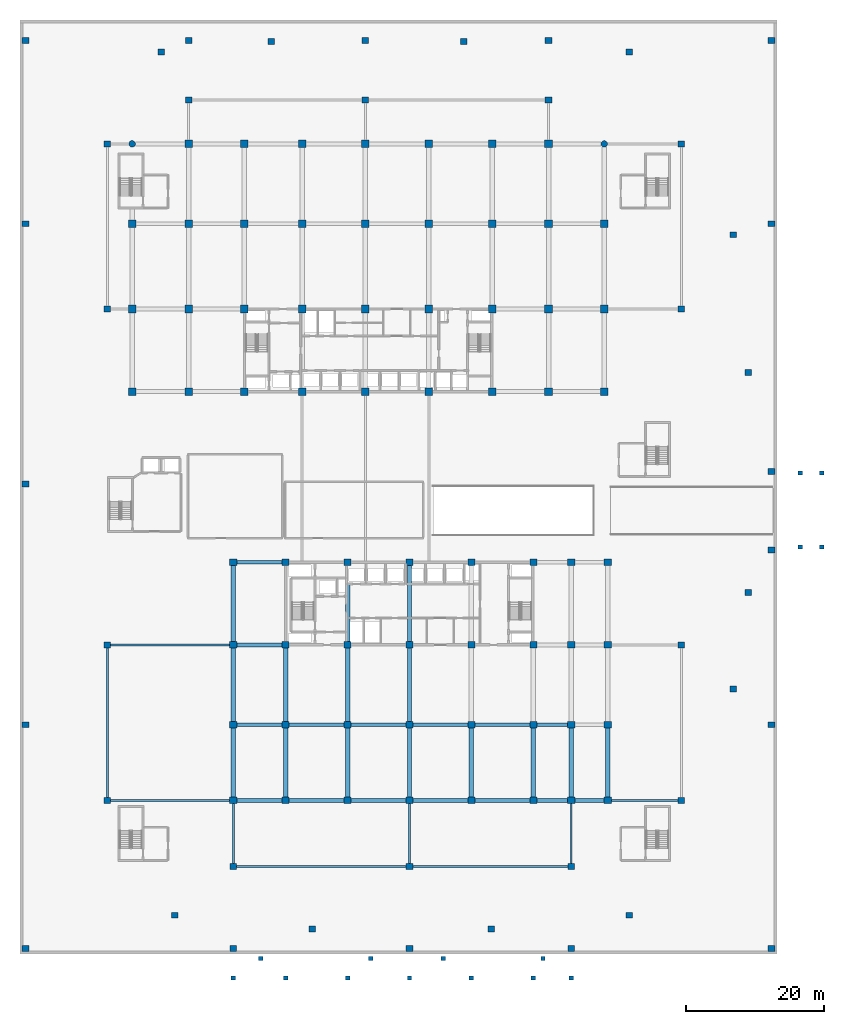
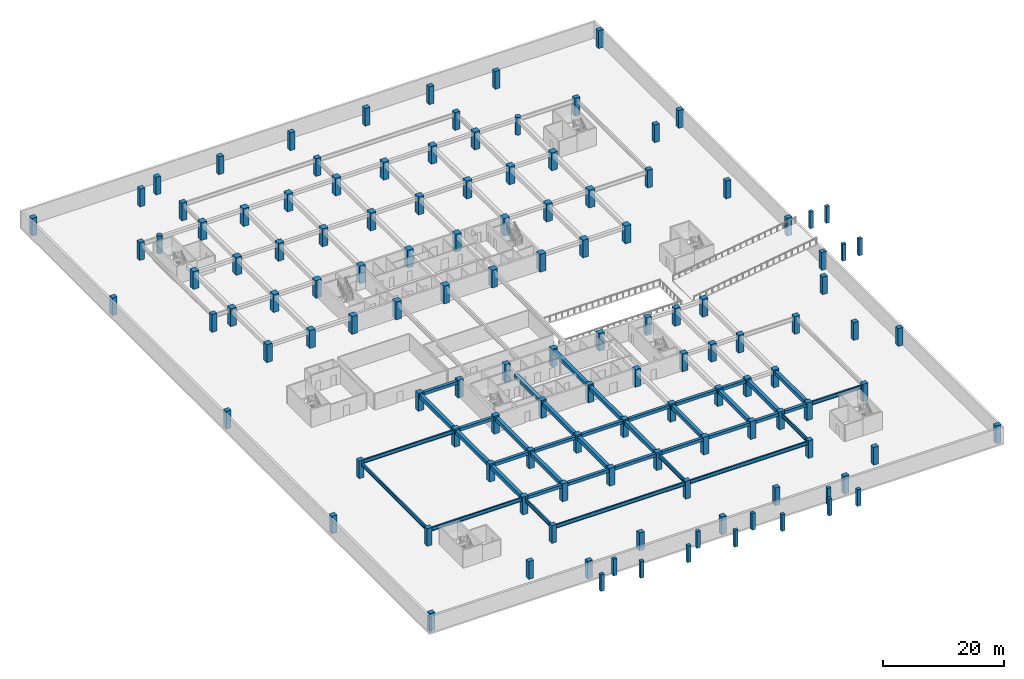
# One storey, part 1 of 23: 126 columns, 39 beams.
"""IFC4 building model written with IfcOpenShell, lengths in metres."""

from ifc_helpers import new_model, si_unit, direction, frame, origin, origin_2d, place, context, subcontext, project, spatial, rectangle, circle, i_section, extrude, material, material_profile, profile_set, type_object, element, save


model = new_model("IFC4")

# Units and contexts
model_context = context("Model", 3, precision=1e-05, world=origin(), true_north=direction((0.0, 1.0)))
body_context = subcontext(model_context, "Body", "Model", "MODEL_VIEW")
ifc_project = project(units=[si_unit("LENGTHUNIT", "METRE"), si_unit("AREAUNIT", "SQUARE_METRE"), si_unit("VOLUMEUNIT", "CUBIC_METRE"), si_unit("PLANEANGLEUNIT", "RADIAN"), si_unit("MASSUNIT", "GRAM", prefix="KILO")], contexts=[model_context])

# Site, building, storey
site_placement = place(None, origin())
site = spatial("IfcSite", under=ifc_project, at=site_placement, CompositionType="ELEMENT")
building_placement = place(site_placement, origin())
building = spatial("IfcBuilding", under=site, at=building_placement, Name="Korimba Cascade Residences", CompositionType="ELEMENT")
storey_placement = place(building_placement, frame((0.0, 0.0, -3.60009765625)))
storey = spatial("IfcBuildingStorey", under=building, at=storey_placement, Name="B01", CompositionType="ELEMENT", Elevation=-3.60009765625)

# Columns
ifc_material_1 = material(Name="Concrete C80/95", Category="concrete")
ifc_material_profile_1 = material_profile(ifc_material_1, rectangle(XDim=1.050048828125, YDim=0.949951171875, at=origin_2d()), Name="Concrete C80/95")
ifc_profile_set_1 = profile_set([ifc_material_profile_1], Name="Concrete C80/95")
column_type_1 = type_object("IfcColumnType", Name="COL-RC-1050", PredefinedType="COLUMN", material=ifc_profile_set_1)
for number, where, z_axis, x_axis, name in (
    (1, (74.5, -4.199951171875, 0.0), (0.0, 0.0, 1.0), (1.0, 0.0, 0.0), "B01 Tower 2 Column 1.1"),
    (2, (74.5, 6.800048828125, 0.0), (0.0, 0.0, 1.0), (1.0, 0.0, 0.0), "B01 Tower 2 Column 1.2"),
    (3, (74.5, 18.39990234375, 0.0), (0.0, 0.0, 1.0), (1.0, 0.0, 0.0), "B01 Tower 2 Column 1.3"),
    (4, (74.5, 30.39990234375, 0.0), (0.0, 0.0, 1.0), (1.0, 0.0, 0.0), "B01 Tower 2 Column 1.4"),
    (5, (82.10009765625, -4.199951171875, 0.0), (0.0, 0.0, 1.0), (1.0, 0.0, 0.0), "B01 Tower 2 Column 2.1"),
    (6, (82.10009765625, 6.800048828125, 0.0), (0.0, 0.0, 1.0), (1.0, 0.0, 0.0), "B01 Tower 2 Column 2.2"),
    (7, (82.10009765625, 18.39990234375, 0.0), (0.0, 0.0, 1.0), (1.0, 0.0, 0.0), "B01 Tower 2 Column 2.3"),
    (8, (82.10009765625, 30.39990234375, 0.0), (0.0, 0.0, 1.0), (1.0, 0.0, 0.0), "B01 Tower 2 Column 2.4"),
    (9, (91.10009765625, -4.199951171875, 0.0), (0.0, 0.0, 1.0), (1.0, 0.0, 0.0), "B01 Tower 2 Column 3.1"),
    (10, (91.10009765625, 6.800048828125, 0.0), (0.0, 0.0, 1.0), (1.0, 0.0, 0.0), "B01 Tower 2 Column 3.2"),
    (11, (91.10009765625, 18.39990234375, 0.0), (0.0, 0.0, 1.0), (1.0, 0.0, 0.0), "B01 Tower 2 Column 3.3"),
    (12, (91.10009765625, 30.39990234375, 0.0), (0.0, 0.0, 1.0), (1.0, 0.0, 0.0), "B01 Tower 2 Column 3.4"),
    (13, (100.10009765625, -4.199951171875, 0.0), (0.0, 0.0, 1.0), (1.0, 0.0, 0.0), "B01 Tower 2 Column 4.1"),
    (14, (100.10009765625, 6.800048828125, 0.0), (0.0, 0.0, 1.0), (1.0, 0.0, 0.0), "B01 Tower 2 Column 4.2"),
    (15, (100.10009765625, 18.39990234375, 0.0), (0.0, 0.0, 1.0), (1.0, 0.0, 0.0), "B01 Tower 2 Column 4.3"),
    (16, (100.10009765625, 30.39990234375, 0.0), (0.0, 0.0, 1.0), (1.0, 0.0, 0.0), "B01 Tower 2 Column 4.4"),
    (17, (109.10009765625, -4.199951171875, 0.0), (0.0, 0.0, 1.0), (1.0, 0.0, 0.0), "B01 Tower 2 Column 5.1"),
    (18, (109.10009765625, 6.800048828125, 0.0), (0.0, 0.0, 1.0), (1.0, 0.0, 0.0), "B01 Tower 2 Column 5.2"),
    (19, (109.10009765625, 18.39990234375, 0.0), (0.0, 0.0, 1.0), (1.0, 0.0, 0.0), "B01 Tower 2 Column 5.3"),
    (20, (109.10009765625, 30.39990234375, 0.0), (0.0, 0.0, 1.0), (1.0, 0.0, 0.0), "B01 Tower 2 Column 5.4"),
    (21, (118.10009765625, -4.199951171875, 0.0), (0.0, 0.0, 1.0), (1.0, 0.0, 0.0), "B01 Tower 2 Column 6.1"),
    (22, (118.10009765625, 6.800048828125, 0.0), (0.0, 0.0, 1.0), (1.0, 0.0, 0.0), "B01 Tower 2 Column 6.2"),
    (23, (118.10009765625, 18.39990234375, 0.0), (0.0, 0.0, 1.0), (1.0, 0.0, 0.0), "B01 Tower 2 Column 6.3"),
    (24, (118.10009765625, 30.39990234375, 0.0), (0.0, 0.0, 1.0), (1.0, 0.0, 0.0), "B01 Tower 2 Column 6.4"),
    (25, (123.60009765625, -4.199951171875, 0.0), (0.0, 0.0, 1.0), (1.0, 0.0, 0.0), "B01 Tower 2 Column 7.1"),
    (26, (123.60009765625, 6.800048828125, 0.0), (0.0, 0.0, 1.0), (1.0, 0.0, 0.0), "B01 Tower 2 Column 7.2"),
    (27, (123.60009765625, 18.39990234375, 0.0), (0.0, 0.0, 1.0), (1.0, 0.0, 0.0), "B01 Tower 2 Column 7.3"),
    (28, (123.60009765625, 30.39990234375, 0.0), (0.0, 0.0, 1.0), (1.0, 0.0, 0.0), "B01 Tower 2 Column 7.4"),
    (29, (128.89990234375, -4.199951171875, 0.0), (0.0, 0.0, 1.0), (1.0, 0.0, 0.0), "B01 Tower 2 Column 8.1"),
    (30, (128.89990234375, 6.800048828125, 0.0), (0.0, 0.0, 1.0), (1.0, 0.0, 0.0), "B01 Tower 2 Column 8.2"),
    (31, (128.89990234375, 18.39990234375, 0.0), (0.0, 0.0, 1.0), (1.0, 0.0, 0.0), "B01 Tower 2 Column 8.3"),
    (32, (128.89990234375, 30.39990234375, 0.0), (0.0, 0.0, 1.0), (1.0, 0.0, 0.0), "B01 Tower 2 Column 8.4"),
):
    element("IfcColumn", number, at=place(storey_placement, frame(where, z_axis=z_axis, x_axis=x_axis)), inside=storey, type_object=column_type_1, Name=name, PredefinedType="COLUMN", context=body_context, shape_type="SweptSolid", body=[
        extrude(rectangle(XDim=1.050048828125, YDim=0.949951171875, at=origin_2d()), origin(), (0.0, 0.0, 1.0), 3.60009765625),
    ])
ifc_material_profile_2 = material_profile(ifc_material_1, rectangle(XDim=1.10009765625, YDim=1.10009765625, at=origin_2d()), Name="Concrete C80/95")
ifc_profile_set_2 = profile_set([ifc_material_profile_2], Name="Concrete C80/95")
column_type_2 = type_object("IfcColumnType", Name="COL-RC-1100", PredefinedType="COLUMN", material=ifc_profile_set_2)
for number, where, z_axis, x_axis, name in (
    (33, (59.800048828125, 55.199951171875, 0.0), (0.0, 0.0, 1.0), (1.0, 0.0, 0.0), "B01 Tower 1 Column 1.1"),
    (34, (59.800048828125, 67.199951171875, 0.0), (0.0, 0.0, 1.0), (1.0, 0.0, 0.0), "B01 Tower 1 Column 1.2"),
    (35, (59.800048828125, 79.60009765625, 0.0), (0.0, 0.0, 1.0), (1.0, 0.0, 0.0), "B01 Tower 1 Column 1.3"),
    (36, (68.0, 55.199951171875, 0.0), (0.0, 0.0, 1.0), (1.0, 0.0, 0.0), "B01 Tower 1 Column 2.1"),
    (37, (68.0, 67.199951171875, 0.0), (0.0, 0.0, 1.0), (1.0, 0.0, 0.0), "B01 Tower 1 Column 2.2"),
    (38, (68.0, 79.60009765625, 0.0), (0.0, 0.0, 1.0), (1.0, 0.0, 0.0), "B01 Tower 1 Column 2.3"),
    (39, (68.0, 91.199951171875, 0.0), (0.0, 0.0, 1.0), (1.0, 0.0, 0.0), "B01 Tower 1 Column 2.4"),
    (40, (76.10009765625, 55.199951171875, 0.0), (0.0, 0.0, 1.0), (1.0, 0.0, 0.0), "B01 Tower 1 Column 3.1"),
    (41, (76.10009765625, 67.199951171875, 0.0), (0.0, 0.0, 1.0), (1.0, 0.0, 0.0), "B01 Tower 1 Column 3.2"),
    (42, (76.10009765625, 79.60009765625, 0.0), (0.0, 0.0, 1.0), (1.0, 0.0, 0.0), "B01 Tower 1 Column 3.3"),
    (43, (76.10009765625, 91.199951171875, 0.0), (0.0, 0.0, 1.0), (1.0, 0.0, 0.0), "B01 Tower 1 Column 3.4"),
    (44, (84.5, 55.199951171875, 0.0), (0.0, 0.0, 1.0), (1.0, 0.0, 0.0), "B01 Tower 1 Column 4.1"),
    (45, (84.5, 67.199951171875, 0.0), (0.0, 0.0, 1.0), (1.0, 0.0, 0.0), "B01 Tower 1 Column 4.2"),
    (46, (84.5, 79.60009765625, 0.0), (0.0, 0.0, 1.0), (1.0, 0.0, 0.0), "B01 Tower 1 Column 4.3"),
    (47, (84.5, 91.199951171875, 0.0), (0.0, 0.0, 1.0), (1.0, 0.0, 0.0), "B01 Tower 1 Column 4.4"),
    (48, (93.699951171875, 55.199951171875, 0.0), (0.0, 0.0, 1.0), (1.0, 0.0, 0.0), "B01 Tower 1 Column 5.1"),
    (49, (93.699951171875, 67.199951171875, 0.0), (0.0, 0.0, 1.0), (1.0, 0.0, 0.0), "B01 Tower 1 Column 5.2"),
    (50, (93.699951171875, 79.60009765625, 0.0), (0.0, 0.0, 1.0), (1.0, 0.0, 0.0), "B01 Tower 1 Column 5.3"),
    (51, (93.699951171875, 91.199951171875, 0.0), (0.0, 0.0, 1.0), (1.0, 0.0, 0.0), "B01 Tower 1 Column 5.4"),
    (52, (102.89990234375, 55.199951171875, 0.0), (0.0, 0.0, 1.0), (1.0, 0.0, 0.0), "B01 Tower 1 Column 6.1"),
    (53, (102.89990234375, 67.199951171875, 0.0), (0.0, 0.0, 1.0), (1.0, 0.0, 0.0), "B01 Tower 1 Column 6.2"),
    (54, (102.89990234375, 79.60009765625, 0.0), (0.0, 0.0, 1.0), (1.0, 0.0, 0.0), "B01 Tower 1 Column 6.3"),
    (55, (102.89990234375, 91.199951171875, 0.0), (0.0, 0.0, 1.0), (1.0, 0.0, 0.0), "B01 Tower 1 Column 6.4"),
    (56, (112.10009765625, 55.199951171875, 0.0), (0.0, 0.0, 1.0), (1.0, 0.0, 0.0), "B01 Tower 1 Column 7.1"),
    (57, (112.10009765625, 67.199951171875, 0.0), (0.0, 0.0, 1.0), (1.0, 0.0, 0.0), "B01 Tower 1 Column 7.2"),
    (58, (112.10009765625, 79.60009765625, 0.0), (0.0, 0.0, 1.0), (1.0, 0.0, 0.0), "B01 Tower 1 Column 7.3"),
    (59, (112.10009765625, 91.199951171875, 0.0), (0.0, 0.0, 1.0), (1.0, 0.0, 0.0), "B01 Tower 1 Column 7.4"),
    (60, (120.300048828125, 55.199951171875, 0.0), (0.0, 0.0, 1.0), (1.0, 0.0, 0.0), "B01 Tower 1 Column 8.1"),
    (61, (120.300048828125, 67.199951171875, 0.0), (0.0, 0.0, 1.0), (1.0, 0.0, 0.0), "B01 Tower 1 Column 8.2"),
    (62, (120.300048828125, 79.60009765625, 0.0), (0.0, 0.0, 1.0), (1.0, 0.0, 0.0), "B01 Tower 1 Column 8.3"),
    (63, (120.300048828125, 91.199951171875, 0.0), (0.0, 0.0, 1.0), (1.0, 0.0, 0.0), "B01 Tower 1 Column 8.4"),
    (64, (128.39990234375, 55.199951171875, 0.0), (0.0, 0.0, 1.0), (1.0, 0.0, 0.0), "B01 Tower 1 Column 9.1"),
    (65, (128.39990234375, 67.199951171875, 0.0), (0.0, 0.0, 1.0), (1.0, 0.0, 0.0), "B01 Tower 1 Column 9.2"),
    (66, (128.39990234375, 79.60009765625, 0.0), (0.0, 0.0, 1.0), (1.0, 0.0, 0.0), "B01 Tower 1 Column 9.3"),
):
    element("IfcColumn", number, at=place(storey_placement, frame(where, z_axis=z_axis, x_axis=x_axis)), inside=storey, type_object=column_type_2, Name=name, PredefinedType="COLUMN", context=body_context, shape_type="SweptSolid", body=[
        extrude(rectangle(XDim=1.10009765625, YDim=1.10009765625, at=origin_2d()), origin(), (0.0, 0.0, 1.0), 3.60009765625),
    ])
ifc_material_2 = material(Name="Concrete C50/60", Category="concrete")
ifc_material_profile_3 = material_profile(ifc_material_2, rectangle(XDim=0.64990234375, YDim=0.60009765625, at=origin_2d()), Name="Concrete C50/60")
ifc_profile_set_3 = profile_set([ifc_material_profile_3], Name="Concrete C50/60")
column_type_3 = type_object("IfcColumnType", Name="COL-RC-650", PredefinedType="COLUMN", material=ifc_profile_set_3)
for number, where, z_axis, x_axis, name in (
    (67, (74.5, -30.0, 0.0), (0.0, 0.0, 1.0), (1.0, 0.0, 0.0), "B01 Porte-Cochere Sub-Pier 1"),
    (68, (82.10009765625, -30.0, 0.0), (0.0, 0.0, 1.0), (1.0, 0.0, 0.0), "B01 Porte-Cochere Sub-Pier 2"),
    (69, (91.10009765625, -30.0, 0.0), (0.0, 0.0, 1.0), (1.0, 0.0, 0.0), "B01 Porte-Cochere Sub-Pier 3"),
    (70, (100.10009765625, -30.0, 0.0), (0.0, 0.0, 1.0), (1.0, 0.0, 0.0), "B01 Porte-Cochere Sub-Pier 4"),
    (71, (109.10009765625, -30.0, 0.0), (0.0, 0.0, 1.0), (1.0, 0.0, 0.0), "B01 Porte-Cochere Sub-Pier 5"),
    (72, (118.10009765625, -30.0, 0.0), (0.0, 0.0, 1.0), (1.0, 0.0, 0.0), "B01 Porte-Cochere Sub-Pier 6"),
    (73, (123.60009765625, -30.0, 0.0), (0.0, 0.0, 1.0), (1.0, 0.0, 0.0), "B01 Porte-Cochere Sub-Pier 7"),
    (74, (156.89990234375, 32.60009765625, 0.0), (0.0, 0.0, 1.0), (1.0, 0.0, 0.0), "B01 Plaza Sub-Pier APR1"),
    (75, (156.89990234375, 43.39990234375, 0.0), (0.0, 0.0, 1.0), (1.0, 0.0, 0.0), "B01 Plaza Sub-Pier APR2"),
    (76, (160.0, 32.60009765625, 0.0), (0.0, 0.0, 1.0), (1.0, 0.0, 0.0), "B01 Plaza Sub-Pier APR3"),
    (77, (160.0, 43.39990234375, 0.0), (0.0, 0.0, 1.0), (1.0, 0.0, 0.0), "B01 Plaza Sub-Pier APR4"),
    (78, (78.5, -27.199951171875, 0.0), (0.0, 0.0, 1.0), (1.0, 0.0, 0.0), "B01 Plaza Sub-Pier PLZS1A"),
    (79, (94.5, -27.199951171875, 0.0), (0.0, 0.0, 1.0), (1.0, 0.0, 0.0), "B01 Plaza Sub-Pier PLZS1B"),
    (80, (105.0, -27.199951171875, 0.0), (0.0, 0.0, 1.0), (1.0, 0.0, 0.0), "B01 Plaza Sub-Pier PLZS2A"),
    (81, (119.5, -27.199951171875, 0.0), (0.0, 0.0, 1.0), (1.0, 0.0, 0.0), "B01 Plaza Sub-Pier PLZS2B"),
):
    element("IfcColumn", number, at=place(storey_placement, frame(where, z_axis=z_axis, x_axis=x_axis)), inside=storey, type_object=column_type_3, Name=name, PredefinedType="COLUMN", context=body_context, shape_type="SweptSolid", body=[
        extrude(rectangle(XDim=0.64990234375, YDim=0.60009765625, at=origin_2d()), origin(), (0.0, 0.0, 1.0), 3.400146484375),
    ])
ifc_material_3 = material(Name="Concrete C65/80", Category="concrete")
ifc_material_profile_4 = material_profile(ifc_material_3, rectangle(XDim=0.949951171875, YDim=0.85009765625, at=origin_2d()), Name="Concrete C65/80")
ifc_profile_set_4 = profile_set([ifc_material_profile_4], Name="Concrete C65/80")
column_type_4 = type_object("IfcColumnType", Name="COL-RC-950", PredefinedType="COLUMN", material=ifc_profile_set_4)
for number, where, z_axis, x_axis, name in (
    (82, (56.199951171875, -4.199951171875, 0.0), (0.0, 0.0, 1.0), (1.0, 0.0, 0.0), "B01 Podium Column PCW1"),
    (83, (56.199951171875, 18.39990234375, 0.0), (0.0, 0.0, 1.0), (1.0, 0.0, 0.0), "B01 Podium Column PCW2"),
    (84, (56.199951171875, 67.199951171875, 0.0), (0.0, 0.0, 1.0), (1.0, 0.0, 0.0), "B01 Podium Column PCW3"),
    (85, (56.199951171875, 91.199951171875, 0.0), (0.0, 0.0, 1.0), (1.0, 0.0, 0.0), "B01 Podium Column PCW4"),
    (86, (139.60009765625, -4.199951171875, 0.0), (0.0, 0.0, 1.0), (1.0, 0.0, 0.0), "B01 Podium Column PCE1"),
    (87, (139.60009765625, 18.39990234375, 0.0), (0.0, 0.0, 1.0), (1.0, 0.0, 0.0), "B01 Podium Column PCE2"),
    (88, (139.60009765625, 67.199951171875, 0.0), (0.0, 0.0, 1.0), (1.0, 0.0, 0.0), "B01 Podium Column PCE3"),
    (89, (139.60009765625, 91.199951171875, 0.0), (0.0, 0.0, 1.0), (1.0, 0.0, 0.0), "B01 Podium Column PCE4"),
    (90, (74.5, -13.800048828125, 0.0), (0.0, 0.0, 1.0), (1.0, 0.0, 0.0), "B01 Podium Column PCS1"),
    (91, (100.10009765625, -13.800048828125, 0.0), (0.0, 0.0, 1.0), (1.0, 0.0, 0.0), "B01 Podium Column PCS2"),
    (92, (123.60009765625, -13.800048828125, 0.0), (0.0, 0.0, 1.0), (1.0, 0.0, 0.0), "B01 Podium Column PCS3"),
    (93, (68.0, 97.60009765625, 0.0), (0.0, 0.0, 1.0), (1.0, 0.0, 0.0), "B01 Podium Column PCN1"),
    (94, (93.699951171875, 97.60009765625, 0.0), (0.0, 0.0, 1.0), (1.0, 0.0, 0.0), "B01 Podium Column PCN2"),
    (95, (120.300048828125, 97.60009765625, 0.0), (0.0, 0.0, 1.0), (1.0, 0.0, 0.0), "B01 Podium Column PCN3"),
    (96, (86.0, -22.89990234375, 0.0), (0.0, 0.0, 1.0), (1.0, 0.0, 0.0), "B01 Podium Column PTS1"),
    (97, (112.0, -22.89990234375, 0.0), (0.0, 0.0, 1.0), (1.0, 0.0, 0.0), "B01 Podium Column PTS2"),
    (98, (66.0, -20.89990234375, 0.0), (0.0, 0.0, 1.0), (1.0, 0.0, 0.0), "B01 Podium Column PTS3"),
    (99, (132.0, -20.89990234375, 0.0), (0.0, 0.0, 1.0), (1.0, 0.0, 0.0), "B01 Podium Column PTS4"),
    (100, (80.0, 106.10009765625, 0.0), (0.0, 0.0, 1.0), (1.0, 0.0, 0.0), "B01 Podium Column PTN1"),
    (101, (108.0, 106.10009765625, 0.0), (0.0, 0.0, 1.0), (1.0, 0.0, 0.0), "B01 Podium Column PTN2"),
    (102, (64.0, 104.550048828125, 0.0), (0.0, 0.0, 1.0), (1.0, 0.0, 0.0), "B01 Podium Column PTN3"),
    (103, (132.0, 104.550048828125, 0.0), (0.0, 0.0, 1.0), (1.0, 0.0, 0.0), "B01 Podium Column PTN4"),
    (104, (149.300048828125, 26.0, 0.0), (0.0, 0.0, 1.0), (1.0, 0.0, 0.0), "B01 Podium Column PTE1"),
    (105, (149.300048828125, 58.0, 0.0), (0.0, 0.0, 1.0), (1.0, 0.0, 0.0), "B01 Podium Column PTE2"),
    (106, (147.14990234375, 12.0, 0.0), (0.0, 0.0, 1.0), (1.0, 0.0, 0.0), "B01 Podium Column PTE3"),
    (107, (147.14990234375, 78.0, 0.0), (0.0, 0.0, 1.0), (1.0, 0.0, 0.0), "B01 Podium Column PTE4"),
    (108, (44.300048828125, -25.699951171875, 0.0), (0.0, 0.0, 1.0), (1.0, 0.0, 0.0), "B01 Podium Column PLW1"),
    (109, (44.300048828125, 6.800048828125, 0.0), (0.0, 0.0, 1.0), (1.0, 0.0, 0.0), "B01 Podium Column PLW2"),
    (110, (44.300048828125, 41.800048828125, 0.0), (0.0, 0.0, 1.0), (1.0, 0.0, 0.0), "B01 Podium Column PLW3"),
    (111, (44.300048828125, 79.60009765625, 0.0), (0.0, 0.0, 1.0), (1.0, 0.0, 0.0), "B01 Podium Column PLW4"),
    (112, (44.300048828125, 106.199951171875, 0.0), (0.0, 0.0, 1.0), (1.0, 0.0, 0.0), "B01 Podium Column PLW5"),
    (113, (152.699951171875, -25.699951171875, 0.0), (0.0, 0.0, 1.0), (1.0, 0.0, 0.0), "B01 Podium Column PLE1"),
    (114, (152.699951171875, 6.800048828125, 0.0), (0.0, 0.0, 1.0), (1.0, 0.0, 0.0), "B01 Podium Column PLE2"),
    (115, (152.699951171875, 32.199951171875, 0.0), (0.0, 0.0, 1.0), (1.0, 0.0, 0.0), "B01 Podium Column PLE3"),
    (116, (152.699951171875, 43.60009765625, 0.0), (0.0, 0.0, 1.0), (1.0, 0.0, 0.0), "B01 Podium Column PLE4"),
    (117, (152.699951171875, 79.60009765625, 0.0), (0.0, 0.0, 1.0), (1.0, 0.0, 0.0), "B01 Podium Column PLE5"),
    (118, (152.699951171875, 106.199951171875, 0.0), (0.0, 0.0, 1.0), (1.0, 0.0, 0.0), "B01 Podium Column PLE6"),
    (119, (74.5, -25.699951171875, 0.0), (0.0, 0.0, 1.0), (1.0, 0.0, 0.0), "B01 Podium Column PLS1"),
    (120, (100.10009765625, -25.699951171875, 0.0), (0.0, 0.0, 1.0), (1.0, 0.0, 0.0), "B01 Podium Column PLS2"),
    (121, (123.60009765625, -25.699951171875, 0.0), (0.0, 0.0, 1.0), (1.0, 0.0, 0.0), "B01 Podium Column PLS3"),
    (122, (68.0, 106.199951171875, 0.0), (0.0, 0.0, 1.0), (1.0, 0.0, 0.0), "B01 Podium Column PLN1"),
    (123, (93.699951171875, 106.199951171875, 0.0), (0.0, 0.0, 1.0), (1.0, 0.0, 0.0), "B01 Podium Column PLN2"),
    (124, (120.300048828125, 106.199951171875, 0.0), (0.0, 0.0, 1.0), (1.0, 0.0, 0.0), "B01 Podium Column PLN3"),
):
    element("IfcColumn", number, at=place(storey_placement, frame(where, z_axis=z_axis, x_axis=x_axis)), inside=storey, type_object=column_type_4, Name=name, PredefinedType="COLUMN", context=body_context, shape_type="SweptSolid", body=[
        extrude(rectangle(XDim=0.949951171875, YDim=0.85009765625, at=origin_2d()), origin(), (0.0, 0.0, 1.0), 3.60009765625),
    ])
ifc_material_profile_5 = material_profile(ifc_material_1, circle(Radius=0.47509765625, at=origin_2d()), Name="Concrete C80/95")
ifc_profile_set_5 = profile_set([ifc_material_profile_5], Name="Concrete C80/95")
column_type_5 = type_object("IfcColumnType", Name="COL-RC-D950", PredefinedType="COLUMN", material=ifc_profile_set_5)
for number, where, z_axis, x_axis, name in (
    (125, (59.800048828125, 91.199951171875, 0.0), (0.0, 0.0, 1.0), (1.0, 0.0, 0.0), "B01 Tower 1 Column 1.4"),
    (126, (128.39990234375, 91.199951171875, 0.0), (0.0, 0.0, 1.0), (1.0, 0.0, 0.0), "B01 Tower 1 Column 9.4"),
):
    element("IfcColumn", number, at=place(storey_placement, frame(where, z_axis=z_axis, x_axis=x_axis)), inside=storey, type_object=column_type_5, Name=name, PredefinedType="COLUMN", context=body_context, shape_type="SweptSolid", body=[
        extrude(circle(Radius=0.47509765625, at=origin_2d()), origin(), (0.0, 0.0, 1.0), 3.60009765625),
    ])

# Beams
ifc_material_profile_6 = material_profile(ifc_material_2, rectangle(XDim=0.550048828125, YDim=0.60009765625, at=origin_2d()), Name="Concrete C50/60")
ifc_profile_set_6 = profile_set([ifc_material_profile_6], Name="Concrete C50/60")
beam_type_1 = type_object("IfcBeamType", Name="BM-RC-B600", PredefinedType="BEAM", material=ifc_profile_set_6)
beam_1_placement = place(storey_placement, frame((75.02490234375, -4.199951171875, 3.0), z_axis=(1.0, 0.0, 0.0), x_axis=(0.0, 1.0, 0.0)))
element("IfcBeam", 127, at=beam_1_placement, inside=storey, type_object=beam_type_1, Name="B01 T2 E-W Girder Y1 Bay 1", PredefinedType="BEAM", context=body_context, shape_type="SweptSolid", body=[
    extrude(rectangle(XDim=0.550048828125, YDim=0.60009765625, at=origin_2d()), origin(), (0.0, 0.0, 1.0), 6.550048828125),
])
for number, where, z_axis, x_axis, name in (
    (128, (82.625, -4.199951171875, 3.0), (1.0, 0.0, 0.0), (0.0, 1.0, 0.0), "B01 T2 E-W Girder Y1 Bay 2"),
    (129, (91.625, -4.199951171875, 3.0), (1.0, 0.0, 0.0), (0.0, 1.0, 0.0), "B01 T2 E-W Girder Y1 Bay 3"),
    (130, (100.625, -4.199951171875, 3.0), (1.0, 0.0, 0.0), (0.0, 1.0, 0.0), "B01 T2 E-W Girder Y1 Bay 4"),
    (131, (109.625, -4.199951171875, 3.0), (1.0, 0.0, 0.0), (0.0, 1.0, 0.0), "B01 T2 E-W Girder Y1 Bay 5"),
):
    element("IfcBeam", number, at=place(storey_placement, frame(where, z_axis=z_axis, x_axis=x_axis)), inside=storey, type_object=beam_type_1, Name=name, PredefinedType="BEAM", context=body_context, shape_type="SweptSolid", body=[
        extrude(rectangle(XDim=0.550048828125, YDim=0.60009765625, at=origin_2d()), origin(), (0.0, 0.0, 1.0), 7.949951171875),
    ])
beam_2_placement = place(storey_placement, frame((118.625, -4.199951171875, 3.0), z_axis=(1.0, 0.0, 0.0), x_axis=(0.0, 1.0, 0.0)))
element("IfcBeam", 132, at=beam_2_placement, inside=storey, type_object=beam_type_1, Name="B01 T2 E-W Girder Y1 Bay 6", PredefinedType="BEAM", context=body_context, shape_type="SweptSolid", body=[
    extrude(rectangle(XDim=0.550048828125, YDim=0.60009765625, at=origin_2d()), origin(), (0.0, 0.0, 1.0), 4.449951171875),
])
beam_3_placement = place(storey_placement, frame((124.125, -4.199951171875, 3.0), z_axis=(1.0, 0.0, 0.0), x_axis=(0.0, 1.0, 0.0)))
element("IfcBeam", 133, at=beam_3_placement, inside=storey, type_object=beam_type_1, Name="B01 T2 E-W Girder Y1 Bay 7", PredefinedType="BEAM", context=body_context, shape_type="SweptSolid", body=[
    extrude(rectangle(XDim=0.550048828125, YDim=0.60009765625, at=origin_2d()), origin(), (0.0, 0.0, 1.0), 4.25),
])
beam_4_placement = place(storey_placement, frame((75.02490234375, 6.800048828125, 3.0), z_axis=(1.0, 0.0, 0.0), x_axis=(0.0, 1.0, 0.0)))
element("IfcBeam", 134, at=beam_4_placement, inside=storey, type_object=beam_type_1, Name="B01 T2 E-W Girder Y2 Bay 1", PredefinedType="BEAM", context=body_context, shape_type="SweptSolid", body=[
    extrude(rectangle(XDim=0.550048828125, YDim=0.60009765625, at=origin_2d()), origin(), (0.0, 0.0, 1.0), 6.550048828125),
])
for number, where, z_axis, x_axis, name in (
    (135, (82.625, 6.800048828125, 3.0), (1.0, 0.0, 0.0), (0.0, 1.0, 0.0), "B01 T2 E-W Girder Y2 Bay 2"),
    (136, (91.625, 6.800048828125, 3.0), (1.0, 0.0, 0.0), (0.0, 1.0, 0.0), "B01 T2 E-W Girder Y2 Bay 3"),
    (137, (100.625, 6.800048828125, 3.0), (1.0, 0.0, 0.0), (0.0, 1.0, 0.0), "B01 T2 E-W Girder Y2 Bay 4"),
    (138, (109.625, 6.800048828125, 3.0), (1.0, 0.0, 0.0), (0.0, 1.0, 0.0), "B01 T2 E-W Girder Y2 Bay 5"),
):
    element("IfcBeam", number, at=place(storey_placement, frame(where, z_axis=z_axis, x_axis=x_axis)), inside=storey, type_object=beam_type_1, Name=name, PredefinedType="BEAM", context=body_context, shape_type="SweptSolid", body=[
        extrude(rectangle(XDim=0.550048828125, YDim=0.60009765625, at=origin_2d()), origin(), (0.0, 0.0, 1.0), 7.949951171875),
    ])
beam_5_placement = place(storey_placement, frame((118.625, 6.800048828125, 3.0), z_axis=(1.0, 0.0, 0.0), x_axis=(0.0, 1.0, 0.0)))
element("IfcBeam", 139, at=beam_5_placement, inside=storey, type_object=beam_type_1, Name="B01 T2 E-W Girder Y2 Bay 6", PredefinedType="BEAM", context=body_context, shape_type="SweptSolid", body=[
    extrude(rectangle(XDim=0.550048828125, YDim=0.60009765625, at=origin_2d()), origin(), (0.0, 0.0, 1.0), 4.449951171875),
])
for number, where, z_axis, x_axis, name in (
    (140, (75.02490234375, 18.39990234375, 3.0), (1.0, 0.0, 0.0), (0.0, 1.0, 0.0), "B01 T2 E-W Girder Y3 Bay 1"),
    (141, (75.02490234375, 30.39990234375, 3.0), (1.0, 0.0, 0.0), (0.0, 1.0, 0.0), "B01 T2 E-W Girder Y4 Bay 1"),
):
    element("IfcBeam", number, at=place(storey_placement, frame(where, z_axis=z_axis, x_axis=x_axis)), inside=storey, type_object=beam_type_1, Name=name, PredefinedType="BEAM", context=body_context, shape_type="SweptSolid", body=[
        extrude(rectangle(XDim=0.550048828125, YDim=0.60009765625, at=origin_2d()), origin(), (0.0, 0.0, 1.0), 6.550048828125),
    ])
ifc_material_profile_7 = material_profile(ifc_material_2, rectangle(XDim=0.64990234375, YDim=0.75, at=origin_2d()), Name="Concrete C50/60")
ifc_profile_set_7 = profile_set([ifc_material_profile_7], Name="Concrete C50/60")
beam_type_2 = type_object("IfcBeamType", Name="BM-RC-G750", PredefinedType="BEAM", material=ifc_profile_set_7)
beam_6_placement = place(storey_placement, frame((74.5, -3.72509765625, 2.925048828125), z_axis=(0.0, 1.0, 0.0), x_axis=(-1.0, 0.0, 0.0)))
element("IfcBeam", 142, at=beam_6_placement, inside=storey, type_object=beam_type_2, Name="B01 T2 N-S Girder X1 Seg 1", PredefinedType="BEAM", context=body_context, shape_type="SweptSolid", body=[
    extrude(rectangle(XDim=0.64990234375, YDim=0.75, at=origin_2d()), origin(), (0.0, 0.0, 1.0), 10.050048828125),
])
beam_7_placement = place(storey_placement, frame((74.5, 7.27490234375, 2.925048828125), z_axis=(0.0, 1.0, 0.0), x_axis=(-1.0, 0.0, 0.0)))
element("IfcBeam", 143, at=beam_7_placement, inside=storey, type_object=beam_type_2, Name="B01 T2 N-S Girder X1 Seg 2", PredefinedType="BEAM", context=body_context, shape_type="SweptSolid", body=[
    extrude(rectangle(XDim=0.64990234375, YDim=0.75, at=origin_2d()), origin(), (0.0, 0.0, 1.0), 10.650146484375),
])
beam_8_placement = place(storey_placement, frame((74.5, 18.875, 2.925048828125), z_axis=(0.0, 1.0, 0.0), x_axis=(-1.0, 0.0, 0.0)))
element("IfcBeam", 144, at=beam_8_placement, inside=storey, type_object=beam_type_2, Name="B01 T2 N-S Girder X1 Seg 3", PredefinedType="BEAM", context=body_context, shape_type="SweptSolid", body=[
    extrude(rectangle(XDim=0.64990234375, YDim=0.75, at=origin_2d()), origin(), (0.0, 0.0, 1.0), 11.050048828125),
])
beam_9_placement = place(storey_placement, frame((82.10009765625, -3.72509765625, 2.925048828125), z_axis=(0.0, 1.0, 0.0), x_axis=(-1.0, 0.0, 0.0)))
element("IfcBeam", 145, at=beam_9_placement, inside=storey, type_object=beam_type_2, Name="B01 T2 N-S Girder X2 Seg 1", PredefinedType="BEAM", context=body_context, shape_type="SweptSolid", body=[
    extrude(rectangle(XDim=0.64990234375, YDim=0.75, at=origin_2d()), origin(), (0.0, 0.0, 1.0), 10.050048828125),
])
beam_10_placement = place(storey_placement, frame((82.10009765625, 7.27490234375, 2.925048828125), z_axis=(0.0, 1.0, 0.0), x_axis=(-1.0, 0.0, 0.0)))
element("IfcBeam", 146, at=beam_10_placement, inside=storey, type_object=beam_type_2, Name="B01 T2 N-S Girder X2 Seg 2", PredefinedType="BEAM", context=body_context, shape_type="SweptSolid", body=[
    extrude(rectangle(XDim=0.64990234375, YDim=0.75, at=origin_2d()), origin(), (0.0, 0.0, 1.0), 10.650146484375),
])
beam_11_placement = place(storey_placement, frame((91.10009765625, -3.72509765625, 2.925048828125), z_axis=(0.0, 1.0, 0.0), x_axis=(-1.0, 0.0, 0.0)))
element("IfcBeam", 147, at=beam_11_placement, inside=storey, type_object=beam_type_2, Name="B01 T2 N-S Girder X3 Seg 1", PredefinedType="BEAM", context=body_context, shape_type="SweptSolid", body=[
    extrude(rectangle(XDim=0.64990234375, YDim=0.75, at=origin_2d()), origin(), (0.0, 0.0, 1.0), 10.050048828125),
])
beam_12_placement = place(storey_placement, frame((91.10009765625, 7.27490234375, 2.925048828125), z_axis=(0.0, 1.0, 0.0), x_axis=(-1.0, 0.0, 0.0)))
element("IfcBeam", 148, at=beam_12_placement, inside=storey, type_object=beam_type_2, Name="B01 T2 N-S Girder X3 Seg 2", PredefinedType="BEAM", context=body_context, shape_type="SweptSolid", body=[
    extrude(rectangle(XDim=0.64990234375, YDim=0.75, at=origin_2d()), origin(), (0.0, 0.0, 1.0), 10.650146484375),
])
beam_13_placement = place(storey_placement, frame((91.10009765625, 18.875, 2.925048828125), z_axis=(0.0, 1.0, 0.0), x_axis=(-1.0, 0.0, 0.0)))
element("IfcBeam", 149, at=beam_13_placement, inside=storey, type_object=beam_type_2, Name="B01 T2 N-S Girder X3 Seg 3", PredefinedType="BEAM", context=body_context, shape_type="SweptSolid", body=[
    extrude(rectangle(XDim=0.64990234375, YDim=0.75, at=origin_2d()), origin(), (0.0, 0.0, 1.0), 8.465087890625),
])
beam_14_placement = place(storey_placement, frame((100.10009765625, -3.72509765625, 2.925048828125), z_axis=(0.0, 1.0, 0.0), x_axis=(-1.0, 0.0, 0.0)))
element("IfcBeam", 150, at=beam_14_placement, inside=storey, type_object=beam_type_2, Name="B01 T2 N-S Girder X4 Seg 1", PredefinedType="BEAM", context=body_context, shape_type="SweptSolid", body=[
    extrude(rectangle(XDim=0.64990234375, YDim=0.75, at=origin_2d()), origin(), (0.0, 0.0, 1.0), 10.050048828125),
])
beam_15_placement = place(storey_placement, frame((100.10009765625, 7.27490234375, 2.925048828125), z_axis=(0.0, 1.0, 0.0), x_axis=(-1.0, 0.0, 0.0)))
element("IfcBeam", 151, at=beam_15_placement, inside=storey, type_object=beam_type_2, Name="B01 T2 N-S Girder X4 Seg 2", PredefinedType="BEAM", context=body_context, shape_type="SweptSolid", body=[
    extrude(rectangle(XDim=0.64990234375, YDim=0.75, at=origin_2d()), origin(), (0.0, 0.0, 1.0), 10.650146484375),
])
beam_16_placement = place(storey_placement, frame((100.10009765625, 18.875, 2.925048828125), z_axis=(0.0, 1.0, 0.0), x_axis=(-1.0, 0.0, 0.0)))
element("IfcBeam", 152, at=beam_16_placement, inside=storey, type_object=beam_type_2, Name="B01 T2 N-S Girder X4 Seg 3", PredefinedType="BEAM", context=body_context, shape_type="SweptSolid", body=[
    extrude(rectangle(XDim=0.64990234375, YDim=0.75, at=origin_2d()), origin(), (0.0, 0.0, 1.0), 11.050048828125),
])
for number, where, z_axis, x_axis, name in (
    (153, (109.10009765625, -3.72509765625, 2.925048828125), (0.0, 1.0, 0.0), (-1.0, 0.0, 0.0), "B01 T2 N-S Girder X5 Seg 1"),
    (154, (118.10009765625, -3.72509765625, 2.925048828125), (0.0, 1.0, 0.0), (-1.0, 0.0, 0.0), "B01 T2 N-S Girder X6 Seg 1"),
    (155, (123.60009765625, -3.72509765625, 2.925048828125), (0.0, 1.0, 0.0), (-1.0, 0.0, 0.0), "B01 T2 N-S Girder X7 Seg 1"),
    (156, (128.89990234375, -3.72509765625, 2.925048828125), (0.0, 1.0, 0.0), (-1.0, 0.0, 0.0), "B01 T2 N-S Girder X8 Seg 1"),
):
    element("IfcBeam", number, at=place(storey_placement, frame(where, z_axis=z_axis, x_axis=x_axis)), inside=storey, type_object=beam_type_2, Name=name, PredefinedType="BEAM", context=body_context, shape_type="SweptSolid", body=[
        extrude(rectangle(XDim=0.64990234375, YDim=0.75, at=origin_2d()), origin(), (0.0, 0.0, 1.0), 10.050048828125),
    ])
ifc_material_4 = material(Name="Steel S355", Category="steel")
ifc_material_profile_8 = material_profile(ifc_material_4, i_section(OverallWidth=0.26806640625, OverallDepth=0.769775390625, WebThickness=0.015625, FlangeThickness=0.025390625, FilletRadius=0.0166015625, at=origin_2d()), Name="Steel S355")
ifc_profile_set_8 = profile_set([ifc_material_profile_8], Name="Steel S355")
beam_type_3 = type_object("IfcBeamType", Name="BM-STL-UB762", PredefinedType="BEAM", material=ifc_profile_set_8)
for number, where, z_axis, x_axis, name in (
    (157, (56.675048828125, -4.199951171875, 2.915283203125), (1.0, 0.0, 0.0), (0.0, 1.0, 0.0), "B01 Podium Frame Girder W1"),
    (158, (56.675048828125, 18.39990234375, 2.915283203125), (1.0, 0.0, 0.0), (0.0, 1.0, 0.0), "B01 Podium Frame Girder W2"),
):
    element("IfcBeam", number, at=place(storey_placement, frame(where, z_axis=z_axis, x_axis=x_axis)), inside=storey, type_object=beam_type_3, Name=name, PredefinedType="BEAM", context=body_context, shape_type="SweptSolid", body=[
        extrude(i_section(OverallWidth=0.26806640625, OverallDepth=0.769775390625, WebThickness=0.015625, FlangeThickness=0.025390625, FilletRadius=0.0166015625, at=origin_2d()), origin(), (0.0, 0.0, 1.0), 17.300048828125),
    ])
beam_17_placement = place(storey_placement, frame((56.199951171875, -3.77490234375, 2.915283203125), z_axis=(0.0, 1.0, 0.0), x_axis=(-1.0, 0.0, 0.0)))
element("IfcBeam", 159, at=beam_17_placement, inside=storey, type_object=beam_type_3, Name="B01 Podium Frame Girder WN", PredefinedType="BEAM", context=body_context, shape_type="SweptSolid", body=[
    extrude(i_section(OverallWidth=0.26806640625, OverallDepth=0.769775390625, WebThickness=0.015625, FlangeThickness=0.025390625, FilletRadius=0.0166015625, at=origin_2d()), origin(), (0.0, 0.0, 1.0), 21.75),
])
beam_18_placement = place(storey_placement, frame((129.425048828125, -4.199951171875, 2.915283203125), z_axis=(1.0, 0.0, 0.0), x_axis=(0.0, 1.0, 0.0)))
element("IfcBeam", 160, at=beam_18_placement, inside=storey, type_object=beam_type_3, Name="B01 Podium Frame Girder E1", PredefinedType="BEAM", context=body_context, shape_type="SweptSolid", body=[
    extrude(i_section(OverallWidth=0.26806640625, OverallDepth=0.769775390625, WebThickness=0.015625, FlangeThickness=0.025390625, FilletRadius=0.0166015625, at=origin_2d()), origin(), (0.0, 0.0, 1.0), 9.699951171875),
])
for number, where, z_axis, x_axis, name in (
    (161, (74.5, -13.375, 2.915283203125), (0.0, 1.0, 0.0), (-1.0, 0.0, 0.0), "B01 Podium Frame Girder S1"),
    (162, (100.10009765625, -13.375, 2.915283203125), (0.0, 1.0, 0.0), (-1.0, 0.0, 0.0), "B01 Podium Frame Girder S2"),
    (163, (123.60009765625, -13.375, 2.915283203125), (0.0, 1.0, 0.0), (-1.0, 0.0, 0.0), "B01 Podium Frame Girder S3"),
):
    element("IfcBeam", number, at=place(storey_placement, frame(where, z_axis=z_axis, x_axis=x_axis)), inside=storey, type_object=beam_type_3, Name=name, PredefinedType="BEAM", context=body_context, shape_type="SweptSolid", body=[
        extrude(i_section(OverallWidth=0.26806640625, OverallDepth=0.769775390625, WebThickness=0.015625, FlangeThickness=0.025390625, FilletRadius=0.0166015625, at=origin_2d()), origin(), (0.0, 0.0, 1.0), 8.699951171875),
    ])
beam_19_placement = place(storey_placement, frame((74.97509765625, -13.800048828125, 2.915283203125), z_axis=(1.0, 0.0, 0.0), x_axis=(0.0, 1.0, 0.0)))
element("IfcBeam", 164, at=beam_19_placement, inside=storey, type_object=beam_type_3, Name="B01 Podium Frame Girder SH1", PredefinedType="BEAM", context=body_context, shape_type="SweptSolid", body=[
    extrude(i_section(OverallWidth=0.26806640625, OverallDepth=0.769775390625, WebThickness=0.015625, FlangeThickness=0.025390625, FilletRadius=0.0166015625, at=origin_2d()), origin(), (0.0, 0.0, 1.0), 24.64990234375),
])
beam_20_placement = place(storey_placement, frame((100.574951171875, -13.800048828125, 2.915283203125), z_axis=(1.0, 0.0, 0.0), x_axis=(0.0, 1.0, 0.0)))
element("IfcBeam", 165, at=beam_20_placement, inside=storey, type_object=beam_type_3, Name="B01 Podium Frame Girder SH2", PredefinedType="BEAM", context=body_context, shape_type="SweptSolid", body=[
    extrude(i_section(OverallWidth=0.26806640625, OverallDepth=0.769775390625, WebThickness=0.015625, FlangeThickness=0.025390625, FilletRadius=0.0166015625, at=origin_2d()), origin(), (0.0, 0.0, 1.0), 22.550048828125),
])

save(model, "model.ifc")
